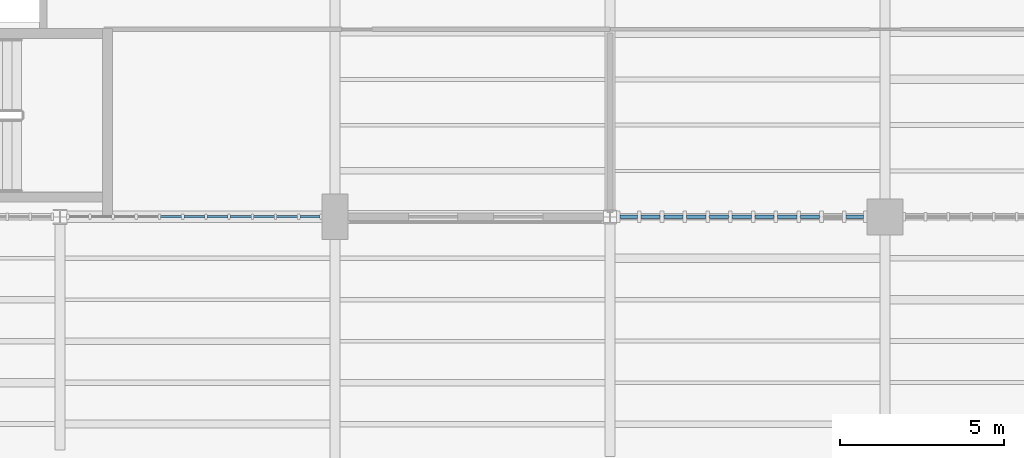
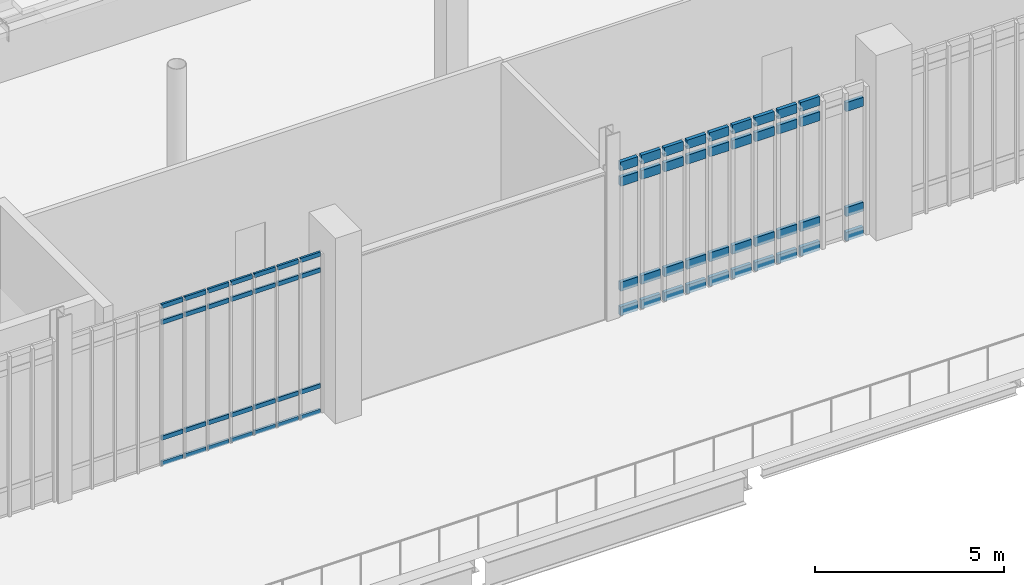
# One storey, part 45 of 135: 67 members, 2 elements without a shape of their own.
"""IFC4 building model written with IfcOpenShell, lengths in metres."""

from ifc_helpers import new_model, si_unit, direction, frame, origin, origin_2d, place, context, subcontext, project, spatial, rectangle, extrude, material, material_profile, profile_set, type_object, element, aggregate, save


model = new_model("IFC4")

# Units and contexts
model_context = context("Model", 3, precision=1e-05, world=origin(), true_north=direction((0.0, 1.0)))
body_context = subcontext(model_context, "Body", "Model", "MODEL_VIEW")
ifc_project = project(units=[si_unit("LENGTHUNIT", "METRE"), si_unit("AREAUNIT", "SQUARE_METRE"), si_unit("VOLUMEUNIT", "CUBIC_METRE"), si_unit("PLANEANGLEUNIT", "RADIAN"), si_unit("MASSUNIT", "GRAM", prefix="KILO")], contexts=[model_context])

# Site, building, storey
site_placement = place(None, origin())
site = spatial("IfcSite", under=ifc_project, at=site_placement, CompositionType="ELEMENT")
building_placement = place(site_placement, origin())
building = spatial("IfcBuilding", under=site, at=building_placement, Name="Larkvane Passage Sports Hall", CompositionType="ELEMENT")
storey_placement = place(building_placement, frame((0.0, 0.0, 10.800048828125)))
storey = spatial("IfcBuildingStorey", under=building, at=storey_placement, Name="L02", CompositionType="ELEMENT", Elevation=10.800048828125)

# Curtain wall, members
ifc_material_1 = material(Name="Thermally broken aluminium and low-E glazing", Category="aluminium")
curtain_wall_type_1 = type_object("IfcCurtainWallType", Name="CW-CLINIC", PredefinedType="USERDEFINED", material=ifc_material_1)
curtain_wall_1_placement = place(storey_placement, origin())
curtain_wall_1 = element("IfcCurtainWall", 1, at=curtain_wall_1_placement, inside=storey, type_object=curtain_wall_type_1, Name="Curtain wall CW5-L02-087", ObjectType="UNITISED CURTAIN WALL", PredefinedType="USERDEFINED")
ifc_material_2 = material(Name="Anodised aluminium 6063-T6", Category="aluminium")
ifc_material_profile_1 = material_profile(ifc_material_2, rectangle(XDim=0.110107421875, YDim=0.2900390625, at=origin_2d()), Name="ALU-TRN-110x290")
ifc_profile_set_1 = profile_set([ifc_material_profile_1], Name="Anodised aluminium 6063-T6")
member_type_1 = type_object("IfcMemberType", Name="CW-TRN-110x290", PredefinedType="USERDEFINED", material=ifc_profile_set_1)
member_1_placement = place(storey_placement, frame((67.743896484375, 22.800048828125, 0.054931640625), z_axis=(-1.0, 0.0, 0.0), x_axis=(0.0, -1.0, 0.0)))
member_1 = element("IfcMember", 2, at=member_1_placement, type_object=member_type_1, Name="CW-05 transom 1.1", ObjectType="TRANSOM", PredefinedType="USERDEFINED", context=body_context, shape_type="SweptSolid", body=[
    extrude(rectangle(XDim=0.110107421875, YDim=0.2900390625, at=origin_2d()), origin(), (0.0, 0.0, 1.0), 0.53076171875),
])
member_2_placement = place(storey_placement, frame((67.743896484375, 22.800048828125, 0.849853515625), z_axis=(-1.0, 0.0, 0.0), x_axis=(0.0, -1.0, 0.0)))
member_2 = element("IfcMember", 3, at=member_2_placement, type_object=member_type_1, Name="CW-05 transom 1.2", ObjectType="TRANSOM", PredefinedType="USERDEFINED", context=body_context, shape_type="SweptSolid", body=[
    extrude(rectangle(XDim=0.110107421875, YDim=0.2900390625, at=origin_2d()), origin(), (0.0, 0.0, 1.0), 0.53076171875),
])
member_3_placement = place(storey_placement, frame((67.743896484375, 22.800048828125, 4.248046875), z_axis=(-1.0, 0.0, 0.0), x_axis=(0.0, -1.0, 0.0)))
member_3 = element("IfcMember", 4, at=member_3_placement, type_object=member_type_1, Name="CW-05 transom 1.3", ObjectType="TRANSOM", PredefinedType="USERDEFINED", context=body_context, shape_type="SweptSolid", body=[
    extrude(rectangle(XDim=0.110107421875, YDim=0.2900390625, at=origin_2d()), origin(), (0.0, 0.0, 1.0), 0.53076171875),
])
member_4_placement = place(storey_placement, frame((66.4072265625, 22.800048828125, 0.054931640625), z_axis=(-1.0, 0.0, 0.0), x_axis=(0.0, -1.0, 0.0)))
member_4 = element("IfcMember", 5, at=member_4_placement, type_object=member_type_1, Name="CW-05 transom 3.1", ObjectType="TRANSOM", PredefinedType="USERDEFINED", context=body_context, shape_type="SweptSolid", body=[
    extrude(rectangle(XDim=0.110107421875, YDim=0.2900390625, at=origin_2d()), origin(), (0.0, 0.0, 1.0), 0.5859375),
])
member_5_placement = place(storey_placement, frame((66.4072265625, 22.800048828125, 0.849853515625), z_axis=(-1.0, 0.0, 0.0), x_axis=(0.0, -1.0, 0.0)))
member_5 = element("IfcMember", 6, at=member_5_placement, type_object=member_type_1, Name="CW-05 transom 3.2", ObjectType="TRANSOM", PredefinedType="USERDEFINED", context=body_context, shape_type="SweptSolid", body=[
    extrude(rectangle(XDim=0.110107421875, YDim=0.2900390625, at=origin_2d()), origin(), (0.0, 0.0, 1.0), 0.5859375),
])
member_6_placement = place(storey_placement, frame((66.4072265625, 22.800048828125, 4.248046875), z_axis=(-1.0, 0.0, 0.0), x_axis=(0.0, -1.0, 0.0)))
member_6 = element("IfcMember", 7, at=member_6_placement, type_object=member_type_1, Name="CW-05 transom 3.3", ObjectType="TRANSOM", PredefinedType="USERDEFINED", context=body_context, shape_type="SweptSolid", body=[
    extrude(rectangle(XDim=0.110107421875, YDim=0.2900390625, at=origin_2d()), origin(), (0.0, 0.0, 1.0), 0.5859375),
])
member_7_placement = place(storey_placement, frame((66.4072265625, 22.800048828125, 4.742919921875), z_axis=(-1.0, 0.0, 0.0), x_axis=(0.0, -1.0, 0.0)))
member_7 = element("IfcMember", 8, at=member_7_placement, type_object=member_type_1, Name="CW-05 transom 3.4", ObjectType="TRANSOM", PredefinedType="USERDEFINED", context=body_context, shape_type="SweptSolid", body=[
    extrude(rectangle(XDim=0.110107421875, YDim=0.2900390625, at=origin_2d()), origin(), (0.0, 0.0, 1.0), 0.5859375),
])
member_8_placement = place(storey_placement, frame((65.71142578125, 22.800048828125, 0.054931640625), z_axis=(-1.0, 0.0, 0.0), x_axis=(0.0, -1.0, 0.0)))
member_8 = element("IfcMember", 9, at=member_8_placement, type_object=member_type_1, Name="CW-05 transom 4.1", ObjectType="TRANSOM", PredefinedType="USERDEFINED", context=body_context, shape_type="SweptSolid", body=[
    extrude(rectangle(XDim=0.110107421875, YDim=0.2900390625, at=origin_2d()), origin(), (0.0, 0.0, 1.0), 0.5859375),
])
member_9_placement = place(storey_placement, frame((65.71142578125, 22.800048828125, 0.849853515625), z_axis=(-1.0, 0.0, 0.0), x_axis=(0.0, -1.0, 0.0)))
member_9 = element("IfcMember", 10, at=member_9_placement, type_object=member_type_1, Name="CW-05 transom 4.2", ObjectType="TRANSOM", PredefinedType="USERDEFINED", context=body_context, shape_type="SweptSolid", body=[
    extrude(rectangle(XDim=0.110107421875, YDim=0.2900390625, at=origin_2d()), origin(), (0.0, 0.0, 1.0), 0.5859375),
])
member_10_placement = place(storey_placement, frame((65.71142578125, 22.800048828125, 4.248046875), z_axis=(-1.0, 0.0, 0.0), x_axis=(0.0, -1.0, 0.0)))
member_10 = element("IfcMember", 11, at=member_10_placement, type_object=member_type_1, Name="CW-05 transom 4.3", ObjectType="TRANSOM", PredefinedType="USERDEFINED", context=body_context, shape_type="SweptSolid", body=[
    extrude(rectangle(XDim=0.110107421875, YDim=0.2900390625, at=origin_2d()), origin(), (0.0, 0.0, 1.0), 0.5859375),
])
member_11_placement = place(storey_placement, frame((65.71142578125, 22.800048828125, 4.742919921875), z_axis=(-1.0, 0.0, 0.0), x_axis=(0.0, -1.0, 0.0)))
member_11 = element("IfcMember", 12, at=member_11_placement, type_object=member_type_1, Name="CW-05 transom 4.4", ObjectType="TRANSOM", PredefinedType="USERDEFINED", context=body_context, shape_type="SweptSolid", body=[
    extrude(rectangle(XDim=0.110107421875, YDim=0.2900390625, at=origin_2d()), origin(), (0.0, 0.0, 1.0), 0.5859375),
])
member_12_placement = place(storey_placement, frame((65.015625, 22.800048828125, 0.054931640625), z_axis=(-1.0, 0.0, 0.0), x_axis=(0.0, -1.0, 0.0)))
member_12 = element("IfcMember", 13, at=member_12_placement, type_object=member_type_1, Name="CW-05 transom 5.1", ObjectType="TRANSOM", PredefinedType="USERDEFINED", context=body_context, shape_type="SweptSolid", body=[
    extrude(rectangle(XDim=0.110107421875, YDim=0.2900390625, at=origin_2d()), origin(), (0.0, 0.0, 1.0), 0.5859375),
])
member_13_placement = place(storey_placement, frame((65.015625, 22.800048828125, 0.849853515625), z_axis=(-1.0, 0.0, 0.0), x_axis=(0.0, -1.0, 0.0)))
member_13 = element("IfcMember", 14, at=member_13_placement, type_object=member_type_1, Name="CW-05 transom 5.2", ObjectType="TRANSOM", PredefinedType="USERDEFINED", context=body_context, shape_type="SweptSolid", body=[
    extrude(rectangle(XDim=0.110107421875, YDim=0.2900390625, at=origin_2d()), origin(), (0.0, 0.0, 1.0), 0.5859375),
])
member_14_placement = place(storey_placement, frame((65.015625, 22.800048828125, 4.248046875), z_axis=(-1.0, 0.0, 0.0), x_axis=(0.0, -1.0, 0.0)))
member_14 = element("IfcMember", 15, at=member_14_placement, type_object=member_type_1, Name="CW-05 transom 5.3", ObjectType="TRANSOM", PredefinedType="USERDEFINED", context=body_context, shape_type="SweptSolid", body=[
    extrude(rectangle(XDim=0.110107421875, YDim=0.2900390625, at=origin_2d()), origin(), (0.0, 0.0, 1.0), 0.5859375),
])
member_15_placement = place(storey_placement, frame((65.015625, 22.800048828125, 4.742919921875), z_axis=(-1.0, 0.0, 0.0), x_axis=(0.0, -1.0, 0.0)))
member_15 = element("IfcMember", 16, at=member_15_placement, type_object=member_type_1, Name="CW-05 transom 5.4", ObjectType="TRANSOM", PredefinedType="USERDEFINED", context=body_context, shape_type="SweptSolid", body=[
    extrude(rectangle(XDim=0.110107421875, YDim=0.2900390625, at=origin_2d()), origin(), (0.0, 0.0, 1.0), 0.5859375),
])
member_16_placement = place(storey_placement, frame((64.319580078125, 22.800048828125, 0.054931640625), z_axis=(-1.0, 0.0, 0.0), x_axis=(0.0, -1.0, 0.0)))
member_16 = element("IfcMember", 17, at=member_16_placement, type_object=member_type_1, Name="CW-05 transom 6.1", ObjectType="TRANSOM", PredefinedType="USERDEFINED", context=body_context, shape_type="SweptSolid", body=[
    extrude(rectangle(XDim=0.110107421875, YDim=0.2900390625, at=origin_2d()), origin(), (0.0, 0.0, 1.0), 0.585693359375),
])
member_17_placement = place(storey_placement, frame((64.319580078125, 22.800048828125, 0.849853515625), z_axis=(-1.0, 0.0, 0.0), x_axis=(0.0, -1.0, 0.0)))
member_17 = element("IfcMember", 18, at=member_17_placement, type_object=member_type_1, Name="CW-05 transom 6.2", ObjectType="TRANSOM", PredefinedType="USERDEFINED", context=body_context, shape_type="SweptSolid", body=[
    extrude(rectangle(XDim=0.110107421875, YDim=0.2900390625, at=origin_2d()), origin(), (0.0, 0.0, 1.0), 0.585693359375),
])
member_18_placement = place(storey_placement, frame((64.319580078125, 22.800048828125, 4.248046875), z_axis=(-1.0, 0.0, 0.0), x_axis=(0.0, -1.0, 0.0)))
member_18 = element("IfcMember", 19, at=member_18_placement, type_object=member_type_1, Name="CW-05 transom 6.3", ObjectType="TRANSOM", PredefinedType="USERDEFINED", context=body_context, shape_type="SweptSolid", body=[
    extrude(rectangle(XDim=0.110107421875, YDim=0.2900390625, at=origin_2d()), origin(), (0.0, 0.0, 1.0), 0.585693359375),
])
member_19_placement = place(storey_placement, frame((64.319580078125, 22.800048828125, 4.742919921875), z_axis=(-1.0, 0.0, 0.0), x_axis=(0.0, -1.0, 0.0)))
member_19 = element("IfcMember", 20, at=member_19_placement, type_object=member_type_1, Name="CW-05 transom 6.4", ObjectType="TRANSOM", PredefinedType="USERDEFINED", context=body_context, shape_type="SweptSolid", body=[
    extrude(rectangle(XDim=0.110107421875, YDim=0.2900390625, at=origin_2d()), origin(), (0.0, 0.0, 1.0), 0.585693359375),
])
member_20_placement = place(storey_placement, frame((63.623779296875, 22.800048828125, 0.054931640625), z_axis=(-1.0, 0.0, 0.0), x_axis=(0.0, -1.0, 0.0)))
member_20 = element("IfcMember", 21, at=member_20_placement, type_object=member_type_1, Name="CW-05 transom 7.1", ObjectType="TRANSOM", PredefinedType="USERDEFINED", context=body_context, shape_type="SweptSolid", body=[
    extrude(rectangle(XDim=0.110107421875, YDim=0.2900390625, at=origin_2d()), origin(), (0.0, 0.0, 1.0), 0.5859375),
])
member_21_placement = place(storey_placement, frame((63.623779296875, 22.800048828125, 0.849853515625), z_axis=(-1.0, 0.0, 0.0), x_axis=(0.0, -1.0, 0.0)))
member_21 = element("IfcMember", 22, at=member_21_placement, type_object=member_type_1, Name="CW-05 transom 7.2", ObjectType="TRANSOM", PredefinedType="USERDEFINED", context=body_context, shape_type="SweptSolid", body=[
    extrude(rectangle(XDim=0.110107421875, YDim=0.2900390625, at=origin_2d()), origin(), (0.0, 0.0, 1.0), 0.5859375),
])
member_22_placement = place(storey_placement, frame((63.623779296875, 22.800048828125, 4.248046875), z_axis=(-1.0, 0.0, 0.0), x_axis=(0.0, -1.0, 0.0)))
member_22 = element("IfcMember", 23, at=member_22_placement, type_object=member_type_1, Name="CW-05 transom 7.3", ObjectType="TRANSOM", PredefinedType="USERDEFINED", context=body_context, shape_type="SweptSolid", body=[
    extrude(rectangle(XDim=0.110107421875, YDim=0.2900390625, at=origin_2d()), origin(), (0.0, 0.0, 1.0), 0.5859375),
])
member_23_placement = place(storey_placement, frame((63.623779296875, 22.800048828125, 4.742919921875), z_axis=(-1.0, 0.0, 0.0), x_axis=(0.0, -1.0, 0.0)))
member_23 = element("IfcMember", 24, at=member_23_placement, type_object=member_type_1, Name="CW-05 transom 7.4", ObjectType="TRANSOM", PredefinedType="USERDEFINED", context=body_context, shape_type="SweptSolid", body=[
    extrude(rectangle(XDim=0.110107421875, YDim=0.2900390625, at=origin_2d()), origin(), (0.0, 0.0, 1.0), 0.5859375),
])
member_24_placement = place(storey_placement, frame((62.927978515625, 22.800048828125, 0.054931640625), z_axis=(-1.0, 0.0, 0.0), x_axis=(0.0, -1.0, 0.0)))
member_24 = element("IfcMember", 25, at=member_24_placement, type_object=member_type_1, Name="CW-05 transom 8.1", ObjectType="TRANSOM", PredefinedType="USERDEFINED", context=body_context, shape_type="SweptSolid", body=[
    extrude(rectangle(XDim=0.110107421875, YDim=0.2900390625, at=origin_2d()), origin(), (0.0, 0.0, 1.0), 0.5859375),
])
member_25_placement = place(storey_placement, frame((62.927978515625, 22.800048828125, 0.849853515625), z_axis=(-1.0, 0.0, 0.0), x_axis=(0.0, -1.0, 0.0)))
member_25 = element("IfcMember", 26, at=member_25_placement, type_object=member_type_1, Name="CW-05 transom 8.2", ObjectType="TRANSOM", PredefinedType="USERDEFINED", context=body_context, shape_type="SweptSolid", body=[
    extrude(rectangle(XDim=0.110107421875, YDim=0.2900390625, at=origin_2d()), origin(), (0.0, 0.0, 1.0), 0.5859375),
])
member_26_placement = place(storey_placement, frame((62.927978515625, 22.800048828125, 4.248046875), z_axis=(-1.0, 0.0, 0.0), x_axis=(0.0, -1.0, 0.0)))
member_26 = element("IfcMember", 27, at=member_26_placement, type_object=member_type_1, Name="CW-05 transom 8.3", ObjectType="TRANSOM", PredefinedType="USERDEFINED", context=body_context, shape_type="SweptSolid", body=[
    extrude(rectangle(XDim=0.110107421875, YDim=0.2900390625, at=origin_2d()), origin(), (0.0, 0.0, 1.0), 0.5859375),
])
member_27_placement = place(storey_placement, frame((62.927978515625, 22.800048828125, 4.742919921875), z_axis=(-1.0, 0.0, 0.0), x_axis=(0.0, -1.0, 0.0)))
member_27 = element("IfcMember", 28, at=member_27_placement, type_object=member_type_1, Name="CW-05 transom 8.4", ObjectType="TRANSOM", PredefinedType="USERDEFINED", context=body_context, shape_type="SweptSolid", body=[
    extrude(rectangle(XDim=0.110107421875, YDim=0.2900390625, at=origin_2d()), origin(), (0.0, 0.0, 1.0), 0.5859375),
])
member_28_placement = place(storey_placement, frame((62.232177734375, 22.800048828125, 0.054931640625), z_axis=(-1.0, 0.0, 0.0), x_axis=(0.0, -1.0, 0.0)))
member_28 = element("IfcMember", 29, at=member_28_placement, type_object=member_type_1, Name="CW-05 transom 9.1", ObjectType="TRANSOM", PredefinedType="USERDEFINED", context=body_context, shape_type="SweptSolid", body=[
    extrude(rectangle(XDim=0.110107421875, YDim=0.2900390625, at=origin_2d()), origin(), (0.0, 0.0, 1.0), 0.5859375),
])
member_29_placement = place(storey_placement, frame((62.232177734375, 22.800048828125, 0.849853515625), z_axis=(-1.0, 0.0, 0.0), x_axis=(0.0, -1.0, 0.0)))
member_29 = element("IfcMember", 30, at=member_29_placement, type_object=member_type_1, Name="CW-05 transom 9.2", ObjectType="TRANSOM", PredefinedType="USERDEFINED", context=body_context, shape_type="SweptSolid", body=[
    extrude(rectangle(XDim=0.110107421875, YDim=0.2900390625, at=origin_2d()), origin(), (0.0, 0.0, 1.0), 0.5859375),
])
member_30_placement = place(storey_placement, frame((62.232177734375, 22.800048828125, 4.248046875), z_axis=(-1.0, 0.0, 0.0), x_axis=(0.0, -1.0, 0.0)))
member_30 = element("IfcMember", 31, at=member_30_placement, type_object=member_type_1, Name="CW-05 transom 9.3", ObjectType="TRANSOM", PredefinedType="USERDEFINED", context=body_context, shape_type="SweptSolid", body=[
    extrude(rectangle(XDim=0.110107421875, YDim=0.2900390625, at=origin_2d()), origin(), (0.0, 0.0, 1.0), 0.5859375),
])
member_31_placement = place(storey_placement, frame((62.232177734375, 22.800048828125, 4.742919921875), z_axis=(-1.0, 0.0, 0.0), x_axis=(0.0, -1.0, 0.0)))
member_31 = element("IfcMember", 32, at=member_31_placement, type_object=member_type_1, Name="CW-05 transom 9.4", ObjectType="TRANSOM", PredefinedType="USERDEFINED", context=body_context, shape_type="SweptSolid", body=[
    extrude(rectangle(XDim=0.110107421875, YDim=0.2900390625, at=origin_2d()), origin(), (0.0, 0.0, 1.0), 0.5859375),
])
member_32_placement = place(storey_placement, frame((61.5361328125, 22.800048828125, 0.054931640625), z_axis=(-1.0, 0.0, 0.0), x_axis=(0.0, -1.0, 0.0)))
member_32 = element("IfcMember", 33, at=member_32_placement, type_object=member_type_1, Name="CW-05 transom 10.1", ObjectType="TRANSOM", PredefinedType="USERDEFINED", context=body_context, shape_type="SweptSolid", body=[
    extrude(rectangle(XDim=0.110107421875, YDim=0.2900390625, at=origin_2d()), origin(), (0.0, 0.0, 1.0), 0.585693359375),
])
member_33_placement = place(storey_placement, frame((61.5361328125, 22.800048828125, 0.849853515625), z_axis=(-1.0, 0.0, 0.0), x_axis=(0.0, -1.0, 0.0)))
member_33 = element("IfcMember", 34, at=member_33_placement, type_object=member_type_1, Name="CW-05 transom 10.2", ObjectType="TRANSOM", PredefinedType="USERDEFINED", context=body_context, shape_type="SweptSolid", body=[
    extrude(rectangle(XDim=0.110107421875, YDim=0.2900390625, at=origin_2d()), origin(), (0.0, 0.0, 1.0), 0.585693359375),
])
member_34_placement = place(storey_placement, frame((61.5361328125, 22.800048828125, 4.248046875), z_axis=(-1.0, 0.0, 0.0), x_axis=(0.0, -1.0, 0.0)))
member_34 = element("IfcMember", 35, at=member_34_placement, type_object=member_type_1, Name="CW-05 transom 10.3", ObjectType="TRANSOM", PredefinedType="USERDEFINED", context=body_context, shape_type="SweptSolid", body=[
    extrude(rectangle(XDim=0.110107421875, YDim=0.2900390625, at=origin_2d()), origin(), (0.0, 0.0, 1.0), 0.585693359375),
])
member_35_placement = place(storey_placement, frame((61.5361328125, 22.800048828125, 4.742919921875), z_axis=(-1.0, 0.0, 0.0), x_axis=(0.0, -1.0, 0.0)))
member_35 = element("IfcMember", 36, at=member_35_placement, type_object=member_type_1, Name="CW-05 transom 10.4", ObjectType="TRANSOM", PredefinedType="USERDEFINED", context=body_context, shape_type="SweptSolid", body=[
    extrude(rectangle(XDim=0.110107421875, YDim=0.2900390625, at=origin_2d()), origin(), (0.0, 0.0, 1.0), 0.585693359375),
])
member_36_placement = place(storey_placement, frame((60.84033203125, 22.800048828125, 0.054931640625), z_axis=(-1.0, 0.0, 0.0), x_axis=(0.0, -1.0, 0.0)))
member_36 = element("IfcMember", 37, at=member_36_placement, type_object=member_type_1, Name="CW-05 transom 11.1", ObjectType="TRANSOM", PredefinedType="USERDEFINED", context=body_context, shape_type="SweptSolid", body=[
    extrude(rectangle(XDim=0.110107421875, YDim=0.2900390625, at=origin_2d()), origin(), (0.0, 0.0, 1.0), 0.53076171875),
])
member_37_placement = place(storey_placement, frame((60.84033203125, 22.800048828125, 0.849853515625), z_axis=(-1.0, 0.0, 0.0), x_axis=(0.0, -1.0, 0.0)))
member_37 = element("IfcMember", 38, at=member_37_placement, type_object=member_type_1, Name="CW-05 transom 11.2", ObjectType="TRANSOM", PredefinedType="USERDEFINED", context=body_context, shape_type="SweptSolid", body=[
    extrude(rectangle(XDim=0.110107421875, YDim=0.2900390625, at=origin_2d()), origin(), (0.0, 0.0, 1.0), 0.53076171875),
])
member_38_placement = place(storey_placement, frame((60.84033203125, 22.800048828125, 4.248046875), z_axis=(-1.0, 0.0, 0.0), x_axis=(0.0, -1.0, 0.0)))
member_38 = element("IfcMember", 39, at=member_38_placement, type_object=member_type_1, Name="CW-05 transom 11.3", ObjectType="TRANSOM", PredefinedType="USERDEFINED", context=body_context, shape_type="SweptSolid", body=[
    extrude(rectangle(XDim=0.110107421875, YDim=0.2900390625, at=origin_2d()), origin(), (0.0, 0.0, 1.0), 0.53076171875),
])
member_39_placement = place(storey_placement, frame((60.84033203125, 22.800048828125, 4.742919921875), z_axis=(-1.0, 0.0, 0.0), x_axis=(0.0, -1.0, 0.0)))
member_39 = element("IfcMember", 40, at=member_39_placement, type_object=member_type_1, Name="CW-05 transom 11.4", ObjectType="TRANSOM", PredefinedType="USERDEFINED", context=body_context, shape_type="SweptSolid", body=[
    extrude(rectangle(XDim=0.110107421875, YDim=0.2900390625, at=origin_2d()), origin(), (0.0, 0.0, 1.0), 0.53076171875),
])
aggregate(curtain_wall_1, [member_1, member_2, member_3, member_4, member_5, member_6, member_7, member_8, member_9, member_10, member_11, member_12, member_13, member_14, member_15, member_16, member_17, member_18, member_19, member_20, member_21, member_22, member_23, member_24, member_25, member_26, member_27, member_28, member_29, member_30, member_31, member_32, member_33, member_34, member_35, member_36, member_37, member_38, member_39])

curtain_wall_type_2 = type_object("IfcCurtainWallType", Name="CW-UNIT-COURT", PredefinedType="USERDEFINED", material=ifc_material_1)
curtain_wall_2_placement = place(storey_placement, origin())
curtain_wall_2 = element("IfcCurtainWall", 41, at=curtain_wall_2_placement, inside=storey, type_object=curtain_wall_type_2, Name="Curtain wall CW5-L02-088", ObjectType="UNITISED CURTAIN WALL", PredefinedType="USERDEFINED")
ifc_material_profile_2 = material_profile(ifc_material_2, rectangle(XDim=0.06494140625, YDim=0.139892578125, at=origin_2d()), Name="ALU-TRN-65x140")
ifc_profile_set_2 = profile_set([ifc_material_profile_2], Name="Anodised aluminium 6063-T6")
member_type_2 = type_object("IfcMemberType", Name="CW-TRN-65x140", PredefinedType="USERDEFINED", material=ifc_profile_set_2)
member_40_placement = place(storey_placement, frame((51.138916015625, 22.800048828125, 0.032470703125), z_axis=(-1.0, 0.0, 0.0), x_axis=(0.0, -1.0, 0.0)))
member_40 = element("IfcMember", 42, at=member_40_placement, type_object=member_type_2, Name="CW-01 transom 1.1", ObjectType="TRANSOM", PredefinedType="USERDEFINED", context=body_context, shape_type="SweptSolid", body=[
    extrude(rectangle(XDim=0.06494140625, YDim=0.139892578125, at=origin_2d()), origin(), (0.0, 0.0, 1.0), 0.611572265625),
])
member_41_placement = place(storey_placement, frame((51.138916015625, 22.800048828125, 0.849853515625), z_axis=(-1.0, 0.0, 0.0), x_axis=(0.0, -1.0, 0.0)))
member_41 = element("IfcMember", 43, at=member_41_placement, type_object=member_type_2, Name="CW-01 transom 1.2", ObjectType="TRANSOM", PredefinedType="USERDEFINED", context=body_context, shape_type="SweptSolid", body=[
    extrude(rectangle(XDim=0.06494140625, YDim=0.139892578125, at=origin_2d()), origin(), (0.0, 0.0, 1.0), 0.611572265625),
])
member_42_placement = place(storey_placement, frame((51.138916015625, 22.800048828125, 4.597900390625), z_axis=(-1.0, 0.0, 0.0), x_axis=(0.0, -1.0, 0.0)))
member_42 = element("IfcMember", 44, at=member_42_placement, type_object=member_type_2, Name="CW-01 transom 1.3", ObjectType="TRANSOM", PredefinedType="USERDEFINED", context=body_context, shape_type="SweptSolid", body=[
    extrude(rectangle(XDim=0.06494140625, YDim=0.139892578125, at=origin_2d()), origin(), (0.0, 0.0, 1.0), 0.611572265625),
])
member_43_placement = place(storey_placement, frame((51.138916015625, 22.800048828125, 5.115478515625), z_axis=(-1.0, 0.0, 0.0), x_axis=(0.0, -1.0, 0.0)))
member_43 = element("IfcMember", 45, at=member_43_placement, type_object=member_type_2, Name="CW-01 transom 1.4", ObjectType="TRANSOM", PredefinedType="USERDEFINED", context=body_context, shape_type="SweptSolid", body=[
    extrude(rectangle(XDim=0.06494140625, YDim=0.139892578125, at=origin_2d()), origin(), (0.0, 0.0, 1.0), 0.611572265625),
])
member_44_placement = place(storey_placement, frame((50.46240234375, 22.800048828125, 0.032470703125), z_axis=(-1.0, 0.0, 0.0), x_axis=(0.0, -1.0, 0.0)))
member_44 = element("IfcMember", 46, at=member_44_placement, type_object=member_type_2, Name="CW-01 transom 2.1", ObjectType="TRANSOM", PredefinedType="USERDEFINED", context=body_context, shape_type="SweptSolid", body=[
    extrude(rectangle(XDim=0.06494140625, YDim=0.139892578125, at=origin_2d()), origin(), (0.0, 0.0, 1.0), 0.64404296875),
])
member_45_placement = place(storey_placement, frame((50.46240234375, 22.800048828125, 0.849853515625), z_axis=(-1.0, 0.0, 0.0), x_axis=(0.0, -1.0, 0.0)))
member_45 = element("IfcMember", 47, at=member_45_placement, type_object=member_type_2, Name="CW-01 transom 2.2", ObjectType="TRANSOM", PredefinedType="USERDEFINED", context=body_context, shape_type="SweptSolid", body=[
    extrude(rectangle(XDim=0.06494140625, YDim=0.139892578125, at=origin_2d()), origin(), (0.0, 0.0, 1.0), 0.64404296875),
])
member_46_placement = place(storey_placement, frame((50.46240234375, 22.800048828125, 4.597900390625), z_axis=(-1.0, 0.0, 0.0), x_axis=(0.0, -1.0, 0.0)))
member_46 = element("IfcMember", 48, at=member_46_placement, type_object=member_type_2, Name="CW-01 transom 2.3", ObjectType="TRANSOM", PredefinedType="USERDEFINED", context=body_context, shape_type="SweptSolid", body=[
    extrude(rectangle(XDim=0.06494140625, YDim=0.139892578125, at=origin_2d()), origin(), (0.0, 0.0, 1.0), 0.64404296875),
])
member_47_placement = place(storey_placement, frame((50.46240234375, 22.800048828125, 5.115478515625), z_axis=(-1.0, 0.0, 0.0), x_axis=(0.0, -1.0, 0.0)))
member_47 = element("IfcMember", 49, at=member_47_placement, type_object=member_type_2, Name="CW-01 transom 2.4", ObjectType="TRANSOM", PredefinedType="USERDEFINED", context=body_context, shape_type="SweptSolid", body=[
    extrude(rectangle(XDim=0.06494140625, YDim=0.139892578125, at=origin_2d()), origin(), (0.0, 0.0, 1.0), 0.64404296875),
])
member_48_placement = place(storey_placement, frame((49.75341796875, 22.800048828125, 0.032470703125), z_axis=(-1.0, 0.0, 0.0), x_axis=(0.0, -1.0, 0.0)))
member_48 = element("IfcMember", 50, at=member_48_placement, type_object=member_type_2, Name="CW-01 transom 3.1", ObjectType="TRANSOM", PredefinedType="USERDEFINED", context=body_context, shape_type="SweptSolid", body=[
    extrude(rectangle(XDim=0.06494140625, YDim=0.139892578125, at=origin_2d()), origin(), (0.0, 0.0, 1.0), 0.64404296875),
])
member_49_placement = place(storey_placement, frame((49.75341796875, 22.800048828125, 0.849853515625), z_axis=(-1.0, 0.0, 0.0), x_axis=(0.0, -1.0, 0.0)))
member_49 = element("IfcMember", 51, at=member_49_placement, type_object=member_type_2, Name="CW-01 transom 3.2", ObjectType="TRANSOM", PredefinedType="USERDEFINED", context=body_context, shape_type="SweptSolid", body=[
    extrude(rectangle(XDim=0.06494140625, YDim=0.139892578125, at=origin_2d()), origin(), (0.0, 0.0, 1.0), 0.64404296875),
])
member_50_placement = place(storey_placement, frame((49.75341796875, 22.800048828125, 4.597900390625), z_axis=(-1.0, 0.0, 0.0), x_axis=(0.0, -1.0, 0.0)))
member_50 = element("IfcMember", 52, at=member_50_placement, type_object=member_type_2, Name="CW-01 transom 3.3", ObjectType="TRANSOM", PredefinedType="USERDEFINED", context=body_context, shape_type="SweptSolid", body=[
    extrude(rectangle(XDim=0.06494140625, YDim=0.139892578125, at=origin_2d()), origin(), (0.0, 0.0, 1.0), 0.64404296875),
])
member_51_placement = place(storey_placement, frame((49.75341796875, 22.800048828125, 5.115478515625), z_axis=(-1.0, 0.0, 0.0), x_axis=(0.0, -1.0, 0.0)))
member_51 = element("IfcMember", 53, at=member_51_placement, type_object=member_type_2, Name="CW-01 transom 3.4", ObjectType="TRANSOM", PredefinedType="USERDEFINED", context=body_context, shape_type="SweptSolid", body=[
    extrude(rectangle(XDim=0.06494140625, YDim=0.139892578125, at=origin_2d()), origin(), (0.0, 0.0, 1.0), 0.64404296875),
])
member_52_placement = place(storey_placement, frame((49.04443359375, 22.800048828125, 0.032470703125), z_axis=(-1.0, 0.0, 0.0), x_axis=(0.0, -1.0, 0.0)))
member_52 = element("IfcMember", 54, at=member_52_placement, type_object=member_type_2, Name="CW-01 transom 4.1", ObjectType="TRANSOM", PredefinedType="USERDEFINED", context=body_context, shape_type="SweptSolid", body=[
    extrude(rectangle(XDim=0.06494140625, YDim=0.139892578125, at=origin_2d()), origin(), (0.0, 0.0, 1.0), 0.64404296875),
])
member_53_placement = place(storey_placement, frame((49.04443359375, 22.800048828125, 0.849853515625), z_axis=(-1.0, 0.0, 0.0), x_axis=(0.0, -1.0, 0.0)))
member_53 = element("IfcMember", 55, at=member_53_placement, type_object=member_type_2, Name="CW-01 transom 4.2", ObjectType="TRANSOM", PredefinedType="USERDEFINED", context=body_context, shape_type="SweptSolid", body=[
    extrude(rectangle(XDim=0.06494140625, YDim=0.139892578125, at=origin_2d()), origin(), (0.0, 0.0, 1.0), 0.64404296875),
])
member_54_placement = place(storey_placement, frame((49.04443359375, 22.800048828125, 4.597900390625), z_axis=(-1.0, 0.0, 0.0), x_axis=(0.0, -1.0, 0.0)))
member_54 = element("IfcMember", 56, at=member_54_placement, type_object=member_type_2, Name="CW-01 transom 4.3", ObjectType="TRANSOM", PredefinedType="USERDEFINED", context=body_context, shape_type="SweptSolid", body=[
    extrude(rectangle(XDim=0.06494140625, YDim=0.139892578125, at=origin_2d()), origin(), (0.0, 0.0, 1.0), 0.64404296875),
])
member_55_placement = place(storey_placement, frame((49.04443359375, 22.800048828125, 5.115478515625), z_axis=(-1.0, 0.0, 0.0), x_axis=(0.0, -1.0, 0.0)))
member_55 = element("IfcMember", 57, at=member_55_placement, type_object=member_type_2, Name="CW-01 transom 4.4", ObjectType="TRANSOM", PredefinedType="USERDEFINED", context=body_context, shape_type="SweptSolid", body=[
    extrude(rectangle(XDim=0.06494140625, YDim=0.139892578125, at=origin_2d()), origin(), (0.0, 0.0, 1.0), 0.64404296875),
])
member_56_placement = place(storey_placement, frame((48.335205078125, 22.800048828125, 0.032470703125), z_axis=(-1.0, 0.0, 0.0), x_axis=(0.0, -1.0, 0.0)))
member_56 = element("IfcMember", 58, at=member_56_placement, type_object=member_type_2, Name="CW-01 transom 5.1", ObjectType="TRANSOM", PredefinedType="USERDEFINED", context=body_context, shape_type="SweptSolid", body=[
    extrude(rectangle(XDim=0.06494140625, YDim=0.139892578125, at=origin_2d()), origin(), (0.0, 0.0, 1.0), 0.64404296875),
])
member_57_placement = place(storey_placement, frame((48.335205078125, 22.800048828125, 0.849853515625), z_axis=(-1.0, 0.0, 0.0), x_axis=(0.0, -1.0, 0.0)))
member_57 = element("IfcMember", 59, at=member_57_placement, type_object=member_type_2, Name="CW-01 transom 5.2", ObjectType="TRANSOM", PredefinedType="USERDEFINED", context=body_context, shape_type="SweptSolid", body=[
    extrude(rectangle(XDim=0.06494140625, YDim=0.139892578125, at=origin_2d()), origin(), (0.0, 0.0, 1.0), 0.64404296875),
])
member_58_placement = place(storey_placement, frame((48.335205078125, 22.800048828125, 4.597900390625), z_axis=(-1.0, 0.0, 0.0), x_axis=(0.0, -1.0, 0.0)))
member_58 = element("IfcMember", 60, at=member_58_placement, type_object=member_type_2, Name="CW-01 transom 5.3", ObjectType="TRANSOM", PredefinedType="USERDEFINED", context=body_context, shape_type="SweptSolid", body=[
    extrude(rectangle(XDim=0.06494140625, YDim=0.139892578125, at=origin_2d()), origin(), (0.0, 0.0, 1.0), 0.64404296875),
])
member_59_placement = place(storey_placement, frame((48.335205078125, 22.800048828125, 5.115478515625), z_axis=(-1.0, 0.0, 0.0), x_axis=(0.0, -1.0, 0.0)))
member_59 = element("IfcMember", 61, at=member_59_placement, type_object=member_type_2, Name="CW-01 transom 5.4", ObjectType="TRANSOM", PredefinedType="USERDEFINED", context=body_context, shape_type="SweptSolid", body=[
    extrude(rectangle(XDim=0.06494140625, YDim=0.139892578125, at=origin_2d()), origin(), (0.0, 0.0, 1.0), 0.64404296875),
])
member_60_placement = place(storey_placement, frame((47.626220703125, 22.800048828125, 0.032470703125), z_axis=(-1.0, 0.0, 0.0), x_axis=(0.0, -1.0, 0.0)))
member_60 = element("IfcMember", 62, at=member_60_placement, type_object=member_type_2, Name="CW-01 transom 6.1", ObjectType="TRANSOM", PredefinedType="USERDEFINED", context=body_context, shape_type="SweptSolid", body=[
    extrude(rectangle(XDim=0.06494140625, YDim=0.139892578125, at=origin_2d()), origin(), (0.0, 0.0, 1.0), 0.64404296875),
])
member_61_placement = place(storey_placement, frame((47.626220703125, 22.800048828125, 0.849853515625), z_axis=(-1.0, 0.0, 0.0), x_axis=(0.0, -1.0, 0.0)))
member_61 = element("IfcMember", 63, at=member_61_placement, type_object=member_type_2, Name="CW-01 transom 6.2", ObjectType="TRANSOM", PredefinedType="USERDEFINED", context=body_context, shape_type="SweptSolid", body=[
    extrude(rectangle(XDim=0.06494140625, YDim=0.139892578125, at=origin_2d()), origin(), (0.0, 0.0, 1.0), 0.64404296875),
])
member_62_placement = place(storey_placement, frame((47.626220703125, 22.800048828125, 4.597900390625), z_axis=(-1.0, 0.0, 0.0), x_axis=(0.0, -1.0, 0.0)))
member_62 = element("IfcMember", 64, at=member_62_placement, type_object=member_type_2, Name="CW-01 transom 6.3", ObjectType="TRANSOM", PredefinedType="USERDEFINED", context=body_context, shape_type="SweptSolid", body=[
    extrude(rectangle(XDim=0.06494140625, YDim=0.139892578125, at=origin_2d()), origin(), (0.0, 0.0, 1.0), 0.64404296875),
])
member_63_placement = place(storey_placement, frame((47.626220703125, 22.800048828125, 5.115478515625), z_axis=(-1.0, 0.0, 0.0), x_axis=(0.0, -1.0, 0.0)))
member_63 = element("IfcMember", 65, at=member_63_placement, type_object=member_type_2, Name="CW-01 transom 6.4", ObjectType="TRANSOM", PredefinedType="USERDEFINED", context=body_context, shape_type="SweptSolid", body=[
    extrude(rectangle(XDim=0.06494140625, YDim=0.139892578125, at=origin_2d()), origin(), (0.0, 0.0, 1.0), 0.64404296875),
])
member_64_placement = place(storey_placement, frame((46.917236328125, 22.800048828125, 0.032470703125), z_axis=(-1.0, 0.0, 0.0), x_axis=(0.0, -1.0, 0.0)))
member_64 = element("IfcMember", 66, at=member_64_placement, type_object=member_type_2, Name="CW-01 transom 7.1", ObjectType="TRANSOM", PredefinedType="USERDEFINED", context=body_context, shape_type="SweptSolid", body=[
    extrude(rectangle(XDim=0.06494140625, YDim=0.139892578125, at=origin_2d()), origin(), (0.0, 0.0, 1.0), 0.64404296875),
])
member_65_placement = place(storey_placement, frame((46.917236328125, 22.800048828125, 0.849853515625), z_axis=(-1.0, 0.0, 0.0), x_axis=(0.0, -1.0, 0.0)))
member_65 = element("IfcMember", 67, at=member_65_placement, type_object=member_type_2, Name="CW-01 transom 7.2", ObjectType="TRANSOM", PredefinedType="USERDEFINED", context=body_context, shape_type="SweptSolid", body=[
    extrude(rectangle(XDim=0.06494140625, YDim=0.139892578125, at=origin_2d()), origin(), (0.0, 0.0, 1.0), 0.64404296875),
])
member_66_placement = place(storey_placement, frame((46.917236328125, 22.800048828125, 4.597900390625), z_axis=(-1.0, 0.0, 0.0), x_axis=(0.0, -1.0, 0.0)))
member_66 = element("IfcMember", 68, at=member_66_placement, type_object=member_type_2, Name="CW-01 transom 7.3", ObjectType="TRANSOM", PredefinedType="USERDEFINED", context=body_context, shape_type="SweptSolid", body=[
    extrude(rectangle(XDim=0.06494140625, YDim=0.139892578125, at=origin_2d()), origin(), (0.0, 0.0, 1.0), 0.64404296875),
])
member_67_placement = place(storey_placement, frame((46.917236328125, 22.800048828125, 5.115478515625), z_axis=(-1.0, 0.0, 0.0), x_axis=(0.0, -1.0, 0.0)))
member_67 = element("IfcMember", 69, at=member_67_placement, type_object=member_type_2, Name="CW-01 transom 7.4", ObjectType="TRANSOM", PredefinedType="USERDEFINED", context=body_context, shape_type="SweptSolid", body=[
    extrude(rectangle(XDim=0.06494140625, YDim=0.139892578125, at=origin_2d()), origin(), (0.0, 0.0, 1.0), 0.64404296875),
])
aggregate(curtain_wall_2, [member_40, member_41, member_42, member_43, member_44, member_45, member_46, member_47, member_48, member_49, member_50, member_51, member_52, member_53, member_54, member_55, member_56, member_57, member_58, member_59, member_60, member_61, member_62, member_63, member_64, member_65, member_66, member_67])

save(model, "model.ifc")
